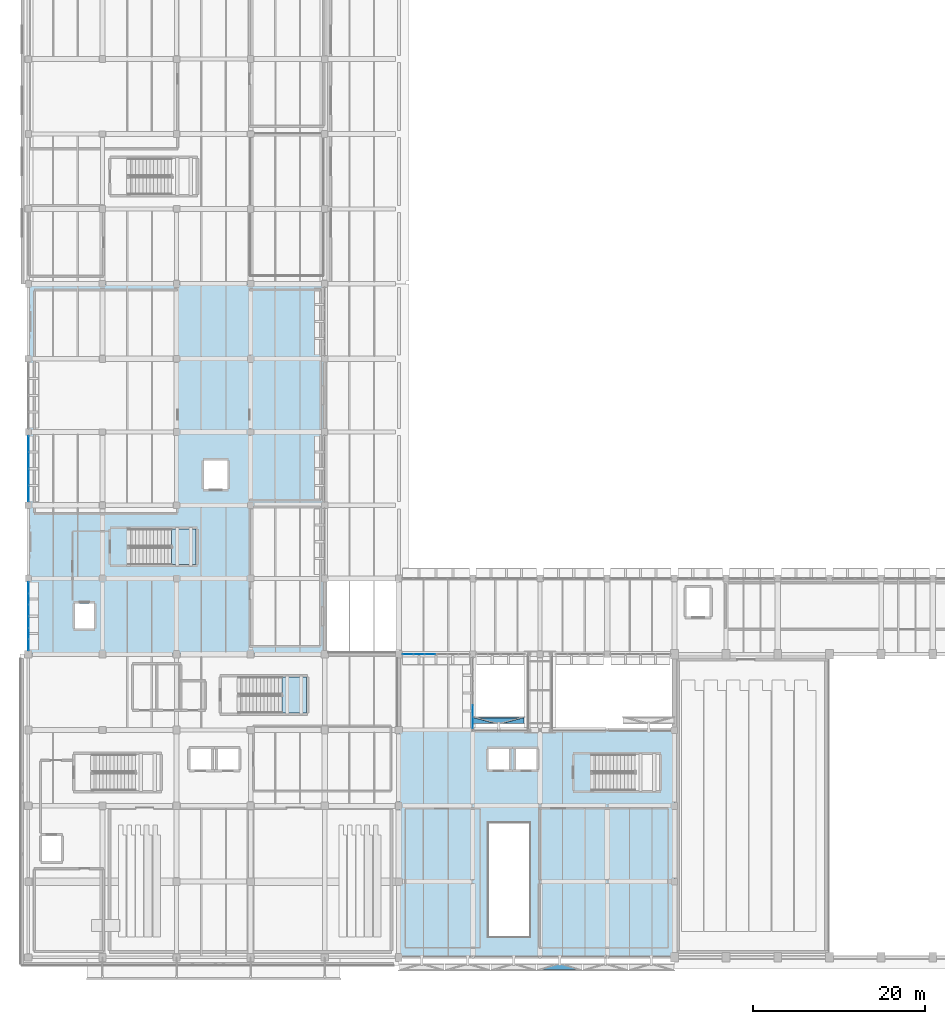
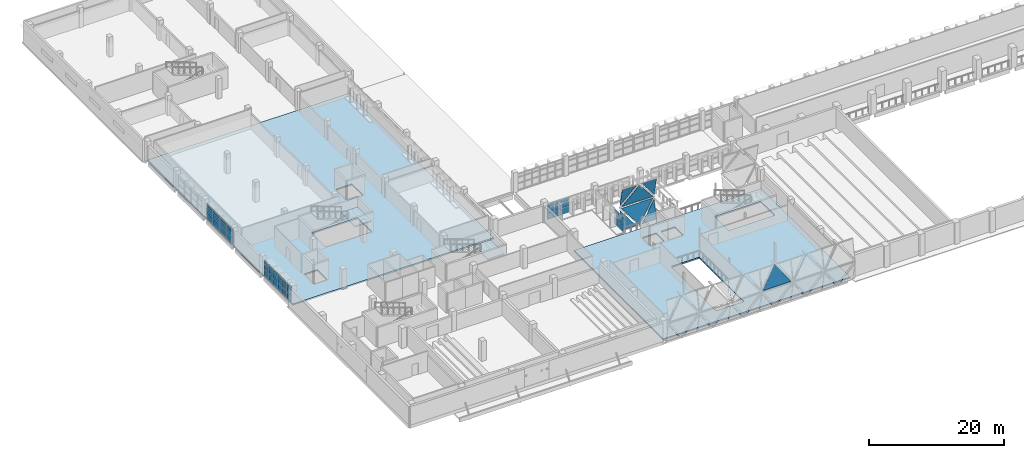
# One storey, part 49 of 80: 52 plates, 4 slabs, 10 elements without a shape of their own.
"""IFC4 building model written with IfcOpenShell, lengths in metres."""

from ifc_helpers import new_model, si_unit, direction, frame, origin, origin_2d, place, context, subcontext, project, spatial, polyline, rectangle, outline, extrude, material, layer, layer_set, type_object, element, aggregate, save


model = new_model("IFC4")

# Units and contexts
model_context = context("Model", 3, precision=1e-05, world=origin(), true_north=direction((0.0, 1.0)))
body_context = subcontext(model_context, "Body", "Model", "MODEL_VIEW")
ifc_project = project(units=[si_unit("LENGTHUNIT", "METRE"), si_unit("AREAUNIT", "SQUARE_METRE"), si_unit("VOLUMEUNIT", "CUBIC_METRE"), si_unit("PLANEANGLEUNIT", "RADIAN"), si_unit("MASSUNIT", "GRAM", prefix="KILO")], contexts=[model_context])

# Site, building, storey
site_placement = place(None, origin())
site = spatial("IfcSite", under=ifc_project, at=site_placement, CompositionType="ELEMENT")
building_placement = place(site_placement, origin())
building = spatial("IfcBuilding", under=site, at=building_placement, Name="Varnakota Cinema and Media Centre", CompositionType="ELEMENT")
storey_placement = place(building_placement, frame((0.0, 0.0, 4.5)))
storey = spatial("IfcBuildingStorey", under=building, at=storey_placement, Name="L01", CompositionType="ELEMENT", Elevation=4.5)

# Curtain wall, plate
ifc_material_1 = material(Name="Anodised golden-bronze aluminium AW-6063", Category="aluminium")
curtain_wall_type_1 = type_object("IfcCurtainWallType", Name="CW-DMD-533x750", PredefinedType="USERDEFINED", material=ifc_material_1)
curtain_wall_1_placement = place(storey_placement, origin())
curtain_wall_1 = element("IfcCurtainWall", 1, at=curtain_wall_1_placement, inside=storey, type_object=curtain_wall_type_1, Name="L01 folded diamond foyer curtain wall CW-V6DMD-S-T1-D03", ObjectType="DIAMOND FOLDED CURTAIN WALL", PredefinedType="USERDEFINED")
ifc_material_2 = material(Name="Laminated solar-control double glazing", Category="glass")
ifc_layer_1 = layer(ifc_material_2, 0.028076171875)
ifc_layer_set_1 = layer_set([ifc_layer_1], Name="Laminated solar-control double glazing")
plate_type_1 = type_object("IfcPlateType", Name="CWP-DGU-28", PredefinedType="CURTAIN_PANEL", material=ifc_layer_set_1)
plate_1_placement = place(storey_placement, frame((64.05322265625, -1.410888671875, 3.889892578125), z_axis=(0.0, -0.979936434053, 0.199310273733), x_axis=(-1.0, 0.0, 0.0)))
plate_1 = element("IfcPlate", 2, at=plate_1_placement, type_object=plate_type_1, Name="CW-V6DMD-S-T1-D03 upper diamond fitted glass facet", PredefinedType="CURTAIN_PANEL", context=body_context, shape_type="SweptSolid", body=[
    extrude(outline(polyline([(0.0, 0.0), (4.773193359375, 0.0), (2.386474609375, -3.5412652526834), (0.0, 0.0)])), origin(), (0.0, 0.0, -1.0), 0.02392578125),
])
aggregate(curtain_wall_1, [plate_1])

# Curtain wall, plates
ifc_material_3 = material(Name="Anodised golden-bronze aluminium AW-6063", Category="aluminium")
curtain_wall_type_2 = type_object("IfcCurtainWallType", Name="CW-DMD-600x750", PredefinedType="USERDEFINED", material=ifc_material_3)
curtain_wall_2_placement = place(storey_placement, origin())
curtain_wall_2 = element("IfcCurtainWall", 3, at=curtain_wall_2_placement, inside=storey, type_object=curtain_wall_type_2, Name="L01 folded diamond foyer curtain wall CW-V6DMD-N-T1W-D01", ObjectType="DIAMOND FOLDED CURTAIN WALL", PredefinedType="USERDEFINED")
plate_2_placement = place(storey_placement, frame((51.8798828125, 27.81103515625, 3.610107421875), z_axis=(0.0, -0.979922966914, 0.199376475328), x_axis=(0.609165749982, -0.158114104196, -0.777120980995)))
plate_2 = element("IfcPlate", 4, at=plate_2_placement, type_object=plate_type_1, Name="CW-V6DMD-N-T1W-D01 lower diamond fitted glass facet", PredefinedType="CURTAIN_PANEL", context=body_context, shape_type="SweptSolid", body=[
    extrude(outline(polyline([(0.0, 0.0), (4.465475683472187, 4.440892098500626e-16), (3.313974708704907, 4.314300686610968), (0.0, 0.0)])), origin(), (0.0, 0.0, -1.0), 0.02392578125),
])
plate_3_placement = place(storey_placement, frame((51.8798828125, 27.81103515625, 3.889892578125), z_axis=(0.0, 0.979922966914, 0.199376475328), x_axis=(1.0, 0.0, 0.0)))
plate_3 = element("IfcPlate", 5, at=plate_3_placement, type_object=plate_type_1, Name="CW-V6DMD-N-T1W-D01 upper diamond fitted glass facet", PredefinedType="CURTAIN_PANEL", context=body_context, shape_type="SweptSolid", body=[
    extrude(outline(polyline([(0.0, 0.0), (5.440185546875, 0.0), (2.72021484375, -3.5413139204995026), (0.0, 0.0)])), origin(), (0.0, 0.0, -1.0), 0.02392578125),
])

ifc_material_4 = material(Name="Thermally broken anodised aluminium AW-6063", Category="aluminium")
curtain_wall_type_3 = type_object("IfcCurtainWallType", Name="CW-STD-389x284", PredefinedType="USERDEFINED", material=ifc_material_4)
curtain_wall_3_placement = place(storey_placement, origin())
curtain_wall_3 = element("IfcCurtainWall", 6, at=curtain_wall_3_placement, inside=storey, type_object=curtain_wall_type_3, Name="L01 curtain wall CW-L01-LINK-S-W-02-2", ObjectType="UNITISED CURTAIN WALL", PredefinedType="USERDEFINED")
plate_4_placement = place(storey_placement, frame((46.62744140625, 35.199951171875, 0.06494140625), z_axis=(0.0, 0.0, 1.0), x_axis=(-1.0, 0.0, 0.0)))
plate_4 = element("IfcPlate", 7, at=plate_4_placement, type_object=plate_type_1, Name="CW21 panel 1.1", PredefinedType="CURTAIN_PANEL", context=body_context, shape_type="SweptSolid", body=[
    extrude(rectangle(XDim=1.199951171875, YDim=0.028076171875, at=origin_2d()), origin(), (0.0, 0.0, 1.0), 1.09326171875),
])
plate_5_placement = place(storey_placement, frame((46.62744140625, 35.199951171875, 1.22314453125), z_axis=(0.0, 0.0, 1.0), x_axis=(-1.0, 0.0, 0.0)))
plate_5 = element("IfcPlate", 8, at=plate_5_placement, type_object=plate_type_1, Name="CW21 panel 1.2", PredefinedType="CURTAIN_PANEL", context=body_context, shape_type="SweptSolid", body=[
    extrude(rectangle(XDim=1.199951171875, YDim=0.028076171875, at=origin_2d()), origin(), (0.0, 0.0, 1.0), 0.95556640625),
])
plate_6_placement = place(storey_placement, frame((46.62744140625, 35.199951171875, 2.24365234375), z_axis=(0.0, 0.0, 1.0), x_axis=(-1.0, 0.0, 0.0)))
plate_6 = element("IfcPlate", 9, at=plate_6_placement, type_object=plate_type_1, Name="CW21 panel 1.3", PredefinedType="CURTAIN_PANEL", context=body_context, shape_type="SweptSolid", body=[
    extrude(rectangle(XDim=1.199951171875, YDim=0.028076171875, at=origin_2d()), origin(), (0.0, 0.0, 1.0), 0.526123046875),
])
plate_7_placement = place(storey_placement, frame((45.34619140625, 35.199951171875, 0.06494140625), z_axis=(0.0, 0.0, 1.0), x_axis=(-1.0, 0.0, 0.0)))
plate_7 = element("IfcPlate", 10, at=plate_7_placement, type_object=plate_type_1, Name="CW21 panel 2.1", PredefinedType="CURTAIN_PANEL", context=body_context, shape_type="SweptSolid", body=[
    extrude(rectangle(XDim=1.232421875, YDim=0.028076171875, at=origin_2d()), origin(), (0.0, 0.0, 1.0), 1.09326171875),
])
plate_8_placement = place(storey_placement, frame((45.34619140625, 35.199951171875, 1.22314453125), z_axis=(0.0, 0.0, 1.0), x_axis=(-1.0, 0.0, 0.0)))
plate_8 = element("IfcPlate", 11, at=plate_8_placement, type_object=plate_type_1, Name="CW21 panel 2.2", PredefinedType="CURTAIN_PANEL", context=body_context, shape_type="SweptSolid", body=[
    extrude(rectangle(XDim=1.232421875, YDim=0.028076171875, at=origin_2d()), origin(), (0.0, 0.0, 1.0), 0.95556640625),
])
plate_9_placement = place(storey_placement, frame((45.34619140625, 35.199951171875, 2.24365234375), z_axis=(0.0, 0.0, 1.0), x_axis=(-1.0, 0.0, 0.0)))
plate_9 = element("IfcPlate", 12, at=plate_9_placement, type_object=plate_type_1, Name="CW21 panel 2.3", PredefinedType="CURTAIN_PANEL", context=body_context, shape_type="SweptSolid", body=[
    extrude(rectangle(XDim=1.232421875, YDim=0.028076171875, at=origin_2d()), origin(), (0.0, 0.0, 1.0), 0.526123046875),
])
plate_10_placement = place(storey_placement, frame((44.06494140625, 35.199951171875, 0.06494140625), z_axis=(0.0, 0.0, 1.0), x_axis=(-1.0, 0.0, 0.0)))
plate_10 = element("IfcPlate", 13, at=plate_10_placement, type_object=plate_type_1, Name="CW21 panel 3.1", PredefinedType="CURTAIN_PANEL", context=body_context, shape_type="SweptSolid", body=[
    extrude(rectangle(XDim=1.199951171875, YDim=0.028076171875, at=origin_2d()), origin(), (0.0, 0.0, 1.0), 1.09326171875),
])
plate_11_placement = place(storey_placement, frame((44.06494140625, 35.199951171875, 1.22314453125), z_axis=(0.0, 0.0, 1.0), x_axis=(-1.0, 0.0, 0.0)))
plate_11 = element("IfcPlate", 14, at=plate_11_placement, type_object=plate_type_1, Name="CW21 panel 3.2", PredefinedType="CURTAIN_PANEL", context=body_context, shape_type="SweptSolid", body=[
    extrude(rectangle(XDim=1.199951171875, YDim=0.028076171875, at=origin_2d()), origin(), (0.0, 0.0, 1.0), 0.95556640625),
])
plate_12_placement = place(storey_placement, frame((44.06494140625, 35.199951171875, 2.24365234375), z_axis=(0.0, 0.0, 1.0), x_axis=(-1.0, 0.0, 0.0)))
plate_12 = element("IfcPlate", 15, at=plate_12_placement, type_object=plate_type_1, Name="CW21 panel 3.3", PredefinedType="CURTAIN_PANEL", context=body_context, shape_type="SweptSolid", body=[
    extrude(rectangle(XDim=1.199951171875, YDim=0.028076171875, at=origin_2d()), origin(), (0.0, 0.0, 1.0), 0.526123046875),
])
aggregate(curtain_wall_3, [plate_4, plate_5, plate_6, plate_7, plate_8, plate_9, plate_10, plate_11, plate_12])

ifc_material_5 = material(Name="Thermally broken anodised aluminium AW-6063", Category="aluminium")
curtain_wall_type_4 = type_object("IfcCurtainWallType", Name="CW-STD-411x284", PredefinedType="USERDEFINED", material=ifc_material_5)
curtain_wall_4_placement = place(storey_placement, origin())
curtain_wall_4 = element("IfcCurtainWall", 16, at=curtain_wall_4_placement, inside=storey, type_object=curtain_wall_type_4, Name="L01 curtain wall CW-L01-WLINK-E-01-1", ObjectType="UNITISED CURTAIN WALL", PredefinedType="USERDEFINED")
plate_13_placement = place(storey_placement, frame((51.60009765625, 27.263427734375, 0.06494140625), z_axis=(0.0, 0.0, 1.0), x_axis=(0.0, 1.0, 0.0)))
plate_13 = element("IfcPlate", 17, at=plate_13_placement, type_object=plate_type_1, Name="CW24 panel 1.1", PredefinedType="CURTAIN_PANEL", context=body_context, shape_type="SweptSolid", body=[
    extrude(rectangle(XDim=1.27294921875, YDim=0.028076171875, at=origin_2d()), origin(), (0.0, 0.0, 1.0), 1.09326171875),
])
plate_14_placement = place(storey_placement, frame((51.60009765625, 27.263427734375, 1.22314453125), z_axis=(0.0, 0.0, 1.0), x_axis=(0.0, 1.0, 0.0)))
plate_14 = element("IfcPlate", 18, at=plate_14_placement, type_object=plate_type_1, Name="CW24 panel 1.2", PredefinedType="CURTAIN_PANEL", context=body_context, shape_type="SweptSolid", body=[
    extrude(rectangle(XDim=1.27294921875, YDim=0.028076171875, at=origin_2d()), origin(), (0.0, 0.0, 1.0), 0.95556640625),
])
plate_15_placement = place(storey_placement, frame((51.60009765625, 27.263427734375, 2.24365234375), z_axis=(0.0, 0.0, 1.0), x_axis=(0.0, 1.0, 0.0)))
plate_15 = element("IfcPlate", 19, at=plate_15_placement, type_object=plate_type_1, Name="CW24 panel 1.3", PredefinedType="CURTAIN_PANEL", context=body_context, shape_type="SweptSolid", body=[
    extrude(rectangle(XDim=1.27294921875, YDim=0.028076171875, at=origin_2d()), origin(), (0.0, 0.0, 1.0), 0.526123046875),
])
plate_16_placement = place(storey_placement, frame((51.60009765625, 28.61767578125, 0.06494140625), z_axis=(0.0, 0.0, 1.0), x_axis=(0.0, 1.0, 0.0)))
plate_16 = element("IfcPlate", 20, at=plate_16_placement, type_object=plate_type_1, Name="CW24 panel 2.1", PredefinedType="CURTAIN_PANEL", context=body_context, shape_type="SweptSolid", body=[
    extrude(rectangle(XDim=1.305419921875, YDim=0.028076171875, at=origin_2d()), origin(), (0.0, 0.0, 1.0), 1.09326171875),
])
plate_17_placement = place(storey_placement, frame((51.60009765625, 28.61767578125, 1.22314453125), z_axis=(0.0, 0.0, 1.0), x_axis=(0.0, 1.0, 0.0)))
plate_17 = element("IfcPlate", 21, at=plate_17_placement, type_object=plate_type_1, Name="CW24 panel 2.2", PredefinedType="CURTAIN_PANEL", context=body_context, shape_type="SweptSolid", body=[
    extrude(rectangle(XDim=1.305419921875, YDim=0.028076171875, at=origin_2d()), origin(), (0.0, 0.0, 1.0), 0.95556640625),
])
plate_18_placement = place(storey_placement, frame((51.60009765625, 28.61767578125, 2.24365234375), z_axis=(0.0, 0.0, 1.0), x_axis=(0.0, 1.0, 0.0)))
plate_18 = element("IfcPlate", 22, at=plate_18_placement, type_object=plate_type_1, Name="CW24 panel 2.3", PredefinedType="CURTAIN_PANEL", context=body_context, shape_type="SweptSolid", body=[
    extrude(rectangle(XDim=1.305419921875, YDim=0.028076171875, at=origin_2d()), origin(), (0.0, 0.0, 1.0), 0.526123046875),
])
aggregate(curtain_wall_4, [plate_13, plate_14, plate_15, plate_16, plate_17, plate_18])

ifc_material_6 = material(Name="Thermally broken anodised aluminium AW-6063", Category="aluminium")
curtain_wall_type_5 = type_object("IfcCurtainWallType", Name="CW-STD-384x288", PredefinedType="USERDEFINED", material=ifc_material_6)
curtain_wall_5_placement = place(storey_placement, origin())
curtain_wall_5 = element("IfcCurtainWall", 23, at=curtain_wall_5_placement, inside=storey, type_object=curtain_wall_type_5, Name="L01 curtain wall CW-L01-V5-W-03-1", ObjectType="UNITISED CURTAIN WALL", PredefinedType="USERDEFINED")
plate_19_placement = place(storey_placement, frame((0.0, 59.623046875, 0.06494140625), z_axis=(0.0, 0.0, 1.0), x_axis=(0.0, -1.0, 0.0)))
plate_19 = element("IfcPlate", 24, at=plate_19_placement, type_object=plate_type_1, Name="CW26 panel 1.1", PredefinedType="CURTAIN_PANEL", context=body_context, shape_type="SweptSolid", body=[
    extrude(rectangle(XDim=1.82373046875, YDim=0.028076171875, at=origin_2d()), origin(), (0.0, 0.0, 1.0), 1.1142578125),
])
plate_20_placement = place(storey_placement, frame((0.0, 59.623046875, 1.244140625), z_axis=(0.0, 0.0, 1.0), x_axis=(0.0, -1.0, 0.0)))
plate_20 = element("IfcPlate", 25, at=plate_20_placement, type_object=plate_type_1, Name="CW26 panel 1.2", PredefinedType="CURTAIN_PANEL", context=body_context, shape_type="SweptSolid", body=[
    extrude(rectangle(XDim=1.82373046875, YDim=0.028076171875, at=origin_2d()), origin(), (0.0, 0.0, 1.0), 0.9736328125),
])
plate_21_placement = place(storey_placement, frame((0.0, 59.623046875, 2.282958984375), z_axis=(0.0, 0.0, 1.0), x_axis=(0.0, -1.0, 0.0)))
plate_21 = element("IfcPlate", 26, at=plate_21_placement, type_object=plate_type_1, Name="CW26 panel 1.3", PredefinedType="CURTAIN_PANEL", context=body_context, shape_type="SweptSolid", body=[
    extrude(rectangle(XDim=1.82373046875, YDim=0.028076171875, at=origin_2d()), origin(), (0.0, 0.0, 1.0), 0.537109375),
])
plate_22_placement = place(storey_placement, frame((0.0, 57.734375, 0.06494140625), z_axis=(0.0, 0.0, 1.0), x_axis=(0.0, -1.0, 0.0)))
plate_22 = element("IfcPlate", 27, at=plate_22_placement, type_object=plate_type_1, Name="CW26 panel 2.1", PredefinedType="CURTAIN_PANEL", context=body_context, shape_type="SweptSolid", body=[
    extrude(rectangle(XDim=1.82373046875, YDim=0.028076171875, at=origin_2d()), origin(), (0.0, 0.0, 1.0), 1.1142578125),
])
plate_23_placement = place(storey_placement, frame((0.0, 57.734375, 1.244140625), z_axis=(0.0, 0.0, 1.0), x_axis=(0.0, -1.0, 0.0)))
plate_23 = element("IfcPlate", 28, at=plate_23_placement, type_object=plate_type_1, Name="CW26 panel 2.2", PredefinedType="CURTAIN_PANEL", context=body_context, shape_type="SweptSolid", body=[
    extrude(rectangle(XDim=1.82373046875, YDim=0.028076171875, at=origin_2d()), origin(), (0.0, 0.0, 1.0), 0.9736328125),
])
plate_24_placement = place(storey_placement, frame((0.0, 57.734375, 2.282958984375), z_axis=(0.0, 0.0, 1.0), x_axis=(0.0, -1.0, 0.0)))
plate_24 = element("IfcPlate", 29, at=plate_24_placement, type_object=plate_type_1, Name="CW26 panel 2.3", PredefinedType="CURTAIN_PANEL", context=body_context, shape_type="SweptSolid", body=[
    extrude(rectangle(XDim=1.82373046875, YDim=0.028076171875, at=origin_2d()), origin(), (0.0, 0.0, 1.0), 0.537109375),
])
aggregate(curtain_wall_5, [plate_19, plate_20, plate_21, plate_22, plate_23, plate_24])

curtain_wall_6_placement = place(storey_placement, origin())
curtain_wall_6 = element("IfcCurtainWall", 30, at=curtain_wall_6_placement, inside=storey, type_object=curtain_wall_type_5, Name="L01 curtain wall CW-L01-V5-W-03-2", ObjectType="UNITISED CURTAIN WALL", PredefinedType="USERDEFINED")
plate_25_placement = place(storey_placement, frame((0.0, 55.74072265625, 0.06494140625), z_axis=(0.0, 0.0, 1.0), x_axis=(0.0, -1.0, 0.0)))
plate_25 = element("IfcPlate", 31, at=plate_25_placement, type_object=plate_type_1, Name="CW26 panel 1.1", PredefinedType="CURTAIN_PANEL", context=body_context, shape_type="SweptSolid", body=[
    extrude(rectangle(XDim=1.82373046875, YDim=0.028076171875, at=origin_2d()), origin(), (0.0, 0.0, 1.0), 1.1142578125),
])
plate_26_placement = place(storey_placement, frame((0.0, 55.74072265625, 1.244140625), z_axis=(0.0, 0.0, 1.0), x_axis=(0.0, -1.0, 0.0)))
plate_26 = element("IfcPlate", 32, at=plate_26_placement, type_object=plate_type_1, Name="CW26 panel 1.2", PredefinedType="CURTAIN_PANEL", context=body_context, shape_type="SweptSolid", body=[
    extrude(rectangle(XDim=1.82373046875, YDim=0.028076171875, at=origin_2d()), origin(), (0.0, 0.0, 1.0), 0.9736328125),
])
plate_27_placement = place(storey_placement, frame((0.0, 55.74072265625, 2.282958984375), z_axis=(0.0, 0.0, 1.0), x_axis=(0.0, -1.0, 0.0)))
plate_27 = element("IfcPlate", 33, at=plate_27_placement, type_object=plate_type_1, Name="CW26 panel 1.3", PredefinedType="CURTAIN_PANEL", context=body_context, shape_type="SweptSolid", body=[
    extrude(rectangle(XDim=1.82373046875, YDim=0.028076171875, at=origin_2d()), origin(), (0.0, 0.0, 1.0), 0.537109375),
])
plate_28_placement = place(storey_placement, frame((0.0, 53.851806640625, 0.06494140625), z_axis=(0.0, 0.0, 1.0), x_axis=(0.0, -1.0, 0.0)))
plate_28 = element("IfcPlate", 34, at=plate_28_placement, type_object=plate_type_1, Name="CW26 panel 2.1", PredefinedType="CURTAIN_PANEL", context=body_context, shape_type="SweptSolid", body=[
    extrude(rectangle(XDim=1.82373046875, YDim=0.028076171875, at=origin_2d()), origin(), (0.0, 0.0, 1.0), 1.1142578125),
])
plate_29_placement = place(storey_placement, frame((0.0, 53.851806640625, 1.244140625), z_axis=(0.0, 0.0, 1.0), x_axis=(0.0, -1.0, 0.0)))
plate_29 = element("IfcPlate", 35, at=plate_29_placement, type_object=plate_type_1, Name="CW26 panel 2.2", PredefinedType="CURTAIN_PANEL", context=body_context, shape_type="SweptSolid", body=[
    extrude(rectangle(XDim=1.82373046875, YDim=0.028076171875, at=origin_2d()), origin(), (0.0, 0.0, 1.0), 0.9736328125),
])
plate_30_placement = place(storey_placement, frame((0.0, 53.851806640625, 2.282958984375), z_axis=(0.0, 0.0, 1.0), x_axis=(0.0, -1.0, 0.0)))
plate_30 = element("IfcPlate", 36, at=plate_30_placement, type_object=plate_type_1, Name="CW26 panel 2.3", PredefinedType="CURTAIN_PANEL", context=body_context, shape_type="SweptSolid", body=[
    extrude(rectangle(XDim=1.82373046875, YDim=0.028076171875, at=origin_2d()), origin(), (0.0, 0.0, 1.0), 0.537109375),
])
aggregate(curtain_wall_6, [plate_25, plate_26, plate_27, plate_28, plate_29, plate_30])

ifc_material_7 = material(Name="Thermally broken anodised aluminium AW-6063", Category="aluminium")
curtain_wall_type_6 = type_object("IfcCurtainWallType", Name="CW-STD-397x288", PredefinedType="USERDEFINED", material=ifc_material_7)
curtain_wall_7_placement = place(storey_placement, origin())
curtain_wall_7 = element("IfcCurtainWall", 37, at=curtain_wall_7_placement, inside=storey, type_object=curtain_wall_type_6, Name="L01 curtain wall CW-L01-V5-W-05-1", ObjectType="UNITISED CURTAIN WALL", PredefinedType="USERDEFINED")
plate_31_placement = place(storey_placement, frame((0.0, 42.922607421875, 0.06494140625), z_axis=(0.0, 0.0, 1.0), x_axis=(0.0, -1.0, 0.0)))
plate_31 = element("IfcPlate", 38, at=plate_31_placement, type_object=plate_type_1, Name="CW28 panel 1.1", PredefinedType="CURTAIN_PANEL", context=body_context, shape_type="SweptSolid", body=[
    extrude(rectangle(XDim=1.22509765625, YDim=0.028076171875, at=origin_2d()), origin(), (0.0, 0.0, 1.0), 1.1142578125),
])
plate_32_placement = place(storey_placement, frame((0.0, 42.922607421875, 1.244140625), z_axis=(0.0, 0.0, 1.0), x_axis=(0.0, -1.0, 0.0)))
plate_32 = element("IfcPlate", 39, at=plate_32_placement, type_object=plate_type_1, Name="CW28 panel 1.2", PredefinedType="CURTAIN_PANEL", context=body_context, shape_type="SweptSolid", body=[
    extrude(rectangle(XDim=1.22509765625, YDim=0.028076171875, at=origin_2d()), origin(), (0.0, 0.0, 1.0), 0.9736328125),
])
plate_33_placement = place(storey_placement, frame((0.0, 42.922607421875, 2.282958984375), z_axis=(0.0, 0.0, 1.0), x_axis=(0.0, -1.0, 0.0)))
plate_33 = element("IfcPlate", 40, at=plate_33_placement, type_object=plate_type_1, Name="CW28 panel 1.3", PredefinedType="CURTAIN_PANEL", context=body_context, shape_type="SweptSolid", body=[
    extrude(rectangle(XDim=1.22509765625, YDim=0.028076171875, at=origin_2d()), origin(), (0.0, 0.0, 1.0), 0.537109375),
])
plate_34_placement = place(storey_placement, frame((0.0, 41.6162109375, 0.06494140625), z_axis=(0.0, 0.0, 1.0), x_axis=(0.0, -1.0, 0.0)))
plate_34 = element("IfcPlate", 41, at=plate_34_placement, type_object=plate_type_1, Name="CW28 panel 2.1", PredefinedType="CURTAIN_PANEL", context=body_context, shape_type="SweptSolid", body=[
    extrude(rectangle(XDim=1.257568359375, YDim=0.028076171875, at=origin_2d()), origin(), (0.0, 0.0, 1.0), 1.1142578125),
])
plate_35_placement = place(storey_placement, frame((0.0, 41.6162109375, 1.244140625), z_axis=(0.0, 0.0, 1.0), x_axis=(0.0, -1.0, 0.0)))
plate_35 = element("IfcPlate", 42, at=plate_35_placement, type_object=plate_type_1, Name="CW28 panel 2.2", PredefinedType="CURTAIN_PANEL", context=body_context, shape_type="SweptSolid", body=[
    extrude(rectangle(XDim=1.257568359375, YDim=0.028076171875, at=origin_2d()), origin(), (0.0, 0.0, 1.0), 0.9736328125),
])
plate_36_placement = place(storey_placement, frame((0.0, 41.6162109375, 2.282958984375), z_axis=(0.0, 0.0, 1.0), x_axis=(0.0, -1.0, 0.0)))
plate_36 = element("IfcPlate", 43, at=plate_36_placement, type_object=plate_type_1, Name="CW28 panel 2.3", PredefinedType="CURTAIN_PANEL", context=body_context, shape_type="SweptSolid", body=[
    extrude(rectangle(XDim=1.257568359375, YDim=0.028076171875, at=origin_2d()), origin(), (0.0, 0.0, 1.0), 0.537109375),
])
plate_37_placement = place(storey_placement, frame((0.0, 40.31005859375, 0.06494140625), z_axis=(0.0, 0.0, 1.0), x_axis=(0.0, -1.0, 0.0)))
plate_37 = element("IfcPlate", 44, at=plate_37_placement, type_object=plate_type_1, Name="CW28 panel 3.1", PredefinedType="CURTAIN_PANEL", context=body_context, shape_type="SweptSolid", body=[
    extrude(rectangle(XDim=1.22509765625, YDim=0.028076171875, at=origin_2d()), origin(), (0.0, 0.0, 1.0), 1.1142578125),
])
plate_38_placement = place(storey_placement, frame((0.0, 40.31005859375, 1.244140625), z_axis=(0.0, 0.0, 1.0), x_axis=(0.0, -1.0, 0.0)))
plate_38 = element("IfcPlate", 45, at=plate_38_placement, type_object=plate_type_1, Name="CW28 panel 3.2", PredefinedType="CURTAIN_PANEL", context=body_context, shape_type="SweptSolid", body=[
    extrude(rectangle(XDim=1.22509765625, YDim=0.028076171875, at=origin_2d()), origin(), (0.0, 0.0, 1.0), 0.9736328125),
])
plate_39_placement = place(storey_placement, frame((0.0, 40.31005859375, 2.282958984375), z_axis=(0.0, 0.0, 1.0), x_axis=(0.0, -1.0, 0.0)))
plate_39 = element("IfcPlate", 46, at=plate_39_placement, type_object=plate_type_1, Name="CW28 panel 3.3", PredefinedType="CURTAIN_PANEL", context=body_context, shape_type="SweptSolid", body=[
    extrude(rectangle(XDim=1.22509765625, YDim=0.028076171875, at=origin_2d()), origin(), (0.0, 0.0, 1.0), 0.537109375),
])
aggregate(curtain_wall_7, [plate_31, plate_32, plate_33, plate_34, plate_35, plate_36, plate_37, plate_38, plate_39])

curtain_wall_8_placement = place(storey_placement, origin())
curtain_wall_8 = element("IfcCurtainWall", 47, at=curtain_wall_8_placement, inside=storey, type_object=curtain_wall_type_6, Name="L01 curtain wall CW-L01-V5-W-05-2", ObjectType="UNITISED CURTAIN WALL", PredefinedType="USERDEFINED")
plate_40_placement = place(storey_placement, frame((0.0, 38.9150390625, 0.06494140625), z_axis=(0.0, 0.0, 1.0), x_axis=(0.0, -1.0, 0.0)))
plate_40 = element("IfcPlate", 48, at=plate_40_placement, type_object=plate_type_1, Name="CW28 panel 1.1", PredefinedType="CURTAIN_PANEL", context=body_context, shape_type="SweptSolid", body=[
    extrude(rectangle(XDim=1.22509765625, YDim=0.028076171875, at=origin_2d()), origin(), (0.0, 0.0, 1.0), 1.1142578125),
])
plate_41_placement = place(storey_placement, frame((0.0, 38.9150390625, 1.244140625), z_axis=(0.0, 0.0, 1.0), x_axis=(0.0, -1.0, 0.0)))
plate_41 = element("IfcPlate", 49, at=plate_41_placement, type_object=plate_type_1, Name="CW28 panel 1.2", PredefinedType="CURTAIN_PANEL", context=body_context, shape_type="SweptSolid", body=[
    extrude(rectangle(XDim=1.22509765625, YDim=0.028076171875, at=origin_2d()), origin(), (0.0, 0.0, 1.0), 0.9736328125),
])
plate_42_placement = place(storey_placement, frame((0.0, 38.9150390625, 2.282958984375), z_axis=(0.0, 0.0, 1.0), x_axis=(0.0, -1.0, 0.0)))
plate_42 = element("IfcPlate", 50, at=plate_42_placement, type_object=plate_type_1, Name="CW28 panel 1.3", PredefinedType="CURTAIN_PANEL", context=body_context, shape_type="SweptSolid", body=[
    extrude(rectangle(XDim=1.22509765625, YDim=0.028076171875, at=origin_2d()), origin(), (0.0, 0.0, 1.0), 0.537109375),
])
plate_43_placement = place(storey_placement, frame((0.0, 37.608642578125, 0.06494140625), z_axis=(0.0, 0.0, 1.0), x_axis=(0.0, -1.0, 0.0)))
plate_43 = element("IfcPlate", 51, at=plate_43_placement, type_object=plate_type_1, Name="CW28 panel 2.1", PredefinedType="CURTAIN_PANEL", context=body_context, shape_type="SweptSolid", body=[
    extrude(rectangle(XDim=1.257568359375, YDim=0.028076171875, at=origin_2d()), origin(), (0.0, 0.0, 1.0), 1.1142578125),
])
plate_44_placement = place(storey_placement, frame((0.0, 37.608642578125, 1.244140625), z_axis=(0.0, 0.0, 1.0), x_axis=(0.0, -1.0, 0.0)))
plate_44 = element("IfcPlate", 52, at=plate_44_placement, type_object=plate_type_1, Name="CW28 panel 2.2", PredefinedType="CURTAIN_PANEL", context=body_context, shape_type="SweptSolid", body=[
    extrude(rectangle(XDim=1.257568359375, YDim=0.028076171875, at=origin_2d()), origin(), (0.0, 0.0, 1.0), 0.9736328125),
])
plate_45_placement = place(storey_placement, frame((0.0, 37.608642578125, 2.282958984375), z_axis=(0.0, 0.0, 1.0), x_axis=(0.0, -1.0, 0.0)))
plate_45 = element("IfcPlate", 53, at=plate_45_placement, type_object=plate_type_1, Name="CW28 panel 2.3", PredefinedType="CURTAIN_PANEL", context=body_context, shape_type="SweptSolid", body=[
    extrude(rectangle(XDim=1.257568359375, YDim=0.028076171875, at=origin_2d()), origin(), (0.0, 0.0, 1.0), 0.537109375),
])
plate_46_placement = place(storey_placement, frame((0.0, 36.302490234375, 0.06494140625), z_axis=(0.0, 0.0, 1.0), x_axis=(0.0, -1.0, 0.0)))
plate_46 = element("IfcPlate", 54, at=plate_46_placement, type_object=plate_type_1, Name="CW28 panel 3.1", PredefinedType="CURTAIN_PANEL", context=body_context, shape_type="SweptSolid", body=[
    extrude(rectangle(XDim=1.22509765625, YDim=0.028076171875, at=origin_2d()), origin(), (0.0, 0.0, 1.0), 1.1142578125),
])
plate_47_placement = place(storey_placement, frame((0.0, 36.302490234375, 1.244140625), z_axis=(0.0, 0.0, 1.0), x_axis=(0.0, -1.0, 0.0)))
plate_47 = element("IfcPlate", 55, at=plate_47_placement, type_object=plate_type_1, Name="CW28 panel 3.2", PredefinedType="CURTAIN_PANEL", context=body_context, shape_type="SweptSolid", body=[
    extrude(rectangle(XDim=1.22509765625, YDim=0.028076171875, at=origin_2d()), origin(), (0.0, 0.0, 1.0), 0.9736328125),
])
plate_48_placement = place(storey_placement, frame((0.0, 36.302490234375, 2.282958984375), z_axis=(0.0, 0.0, 1.0), x_axis=(0.0, -1.0, 0.0)))
plate_48 = element("IfcPlate", 56, at=plate_48_placement, type_object=plate_type_1, Name="CW28 panel 3.3", PredefinedType="CURTAIN_PANEL", context=body_context, shape_type="SweptSolid", body=[
    extrude(rectangle(XDim=1.22509765625, YDim=0.028076171875, at=origin_2d()), origin(), (0.0, 0.0, 1.0), 0.537109375),
])
aggregate(curtain_wall_8, [plate_40, plate_41, plate_42, plate_43, plate_44, plate_45, plate_46, plate_47, plate_48])

# Plate
ifc_material_8 = material(Name="Anodised golden-bronze aluminium AW-6063", Category="aluminium")
ifc_layer_2 = layer(ifc_material_8, 0.035888671875)
ifc_layer_set_2 = layer_set([ifc_layer_2], Name="Anodised golden-bronze aluminium AW-6063")
plate_type_2 = type_object("IfcPlateType", Name="CWP-GOLD-36", PredefinedType="CURTAIN_PANEL", material=ifc_layer_set_2)
plate_49_placement = place(storey_placement, frame((51.659912109375, 27.177978515625, 0.10009765625), z_axis=(0.0, -0.979925277754, 0.199365117357), x_axis=(1.0, 0.0, 0.0)))
plate_49 = element("IfcPlate", 57, at=plate_49_placement, type_object=plate_type_2, Name="CW-V6DMD-N-T1W-D01 golden metal folded diamond spandrel SP-BL", PredefinedType="CURTAIN_PANEL", context=body_context, shape_type="SweptSolid", body=[
    extrude(outline(polyline([(0.0, 0.0), (2.460205078125, 0.0), (0.0, 3.3370090612877776), (0.0, 0.0)])), origin(), (0.0, 0.0, -1.0), 0.028076171875),
])

plate_50_placement = place(storey_placement, frame((55.080078125, 27.177978515625, 0.10009765625), z_axis=(0.0, -0.979925277754, 0.199365117357), x_axis=(1.0, 0.0, 0.0)))
plate_50 = element("IfcPlate", 58, at=plate_50_placement, type_object=plate_type_2, Name="CW-V6DMD-N-T1W-D01 golden metal folded diamond spandrel SP-BR", PredefinedType="CURTAIN_PANEL", context=body_context, shape_type="SweptSolid", body=[
    extrude(outline(polyline([(0.0, 0.0), (2.4599609375, 0.0), (2.4599609375, 3.3370090612877767), (0.0, 0.0)])), origin(), (0.0, 0.0, -1.0), 0.028076171875),
])

plate_51_placement = place(storey_placement, frame((51.659912109375, 27.84326171875, 4.1298828125), z_axis=(0.0, 0.979925277754, 0.199365117357), x_axis=(0.593411044317, -0.160468899054, 0.788741443642)))
plate_51 = element("IfcPlate", 59, at=plate_51_placement, type_object=plate_type_2, Name="CW-V6DMD-N-T1W-D01 golden metal folded diamond spandrel SP-TL", PredefinedType="CURTAIN_PANEL", context=body_context, shape_type="SweptSolid", body=[
    extrude(outline(polyline([(0.0, 0.0), (4.145870053625508, 4.440892098500626e-16), (2.6859571889810616, -1.9802180319544829), (0.0, 0.0)])), origin(), (0.0, 0.0, -1.0), 0.028076171875),
])

plate_52_placement = place(storey_placement, frame((57.5400390625, 27.84326171875, 4.1298828125), z_axis=(0.0, 0.979925277754, 0.199365117357), x_axis=(0.0, -0.199365117357, 0.979925277754)))
plate_52 = element("IfcPlate", 60, at=plate_52_placement, type_object=plate_type_2, Name="CW-V6DMD-N-T1W-D01 golden metal folded diamond spandrel SP-TR", PredefinedType="CURTAIN_PANEL", context=body_context, shape_type="SweptSolid", body=[
    extrude(outline(polyline([(0.0, 0.0), (3.337009061287777, 0.0), (3.337009061287777, -2.4599609375), (0.0, 0.0)])), origin(), (0.0, 0.0, -1.0), 0.028076171875),
])

aggregate(curtain_wall_2, [plate_2, plate_3, plate_49, plate_50, plate_51, plate_52])

# Slabs
ifc_material_9 = material(Name="Concrete M35", Category="concrete")
ifc_layer_3 = layer(ifc_material_9, 0.25)
ifc_layer_set_3 = layer_set([ifc_layer_3], Name="Concrete M35")
slab_type_1 = type_object("IfcSlabType", Name="SLB-FLR-250", PredefinedType="FLOOR", material=ifc_layer_set_3)
slab_1_placement = place(storey_placement, frame((0.0, 0.0, -0.25)))
element("IfcSlab", 61, at=slab_1_placement, inside=storey, type_object=slab_type_1, Name="L01 V6 floor slab", PredefinedType="FLOOR", context=body_context, shape_type="SweptSolid", body=[
    extrude(outline(polyline([(43.0, 0.0), (75.0, 0.0), (75.0, 26.39990234375), (43.0, 26.39990234375), (43.0, 0.0)]), holes=[polyline([(53.39990234375, 2.39990234375), (58.199951171875, 2.39990234375), (58.199951171875, 15.60009765625), (53.39990234375, 15.60009765625), (53.39990234375, 2.39990234375)]), polyline([(65.39990234375, 19.39990234375), (73.280029296875, 19.39990234375), (73.280029296875, 23.550048828125), (65.39990234375, 23.550048828125), (65.39990234375, 19.39990234375)]), polyline([(53.39990234375, 21.800048828125), (55.800048828125, 21.800048828125), (55.800048828125, 24.199951171875), (53.39990234375, 24.199951171875), (53.39990234375, 21.800048828125)]), polyline([(56.60009765625, 21.800048828125), (59.0, 21.800048828125), (59.0, 24.199951171875), (56.60009765625, 24.199951171875), (56.60009765625, 21.800048828125)])]), origin(), (0.0, 0.0, 1.0), 0.25),
])
slab_2_placement = place(storey_placement, frame((0.0, 0.0, -0.25)))
element("IfcSlab", 62, at=slab_2_placement, inside=storey, type_object=slab_type_1, Name="L01 V5 floor slab", PredefinedType="FLOOR", context=body_context, shape_type="SweptSolid", body=[
    extrude(outline(polyline([(0.0, 35.199951171875), (34.39990234375, 35.199951171875), (34.39990234375, 78.199951171875), (0.0, 78.199951171875), (0.0, 35.199951171875)]), holes=[polyline([(11.60009765625, 45.60009765625), (19.47998046875, 45.60009765625), (19.47998046875, 49.75), (11.60009765625, 49.75), (11.60009765625, 45.60009765625)]), polyline([(5.39990234375, 38.199951171875), (7.60009765625, 38.199951171875), (7.60009765625, 41.10009765625), (5.39990234375, 41.10009765625), (5.39990234375, 38.199951171875)]), polyline([(20.39990234375, 54.39990234375), (23.10009765625, 54.39990234375), (23.10009765625, 57.699951171875), (20.39990234375, 57.699951171875), (20.39990234375, 54.39990234375)])]), origin(), (0.0, 0.0, 1.0), 0.25),
])

# Stair, slab
ifc_material_10 = material(Name="Concrete M35", Category="concrete")
stair_type_1 = type_object("IfcStairType", Name="STR-CORE-ST-02-2000", PredefinedType="HALF_TURN_STAIR", material=ifc_material_10)
stair_1_placement = place(storey_placement, origin())
stair_1 = element("IfcStair", 63, at=stair_1_placement, inside=storey, type_object=stair_type_1, Name="L01 Cinema North Escape Stair 2", PredefinedType="HALF_TURN_STAIR")
ifc_material_11 = material(Name="Concrete M35", Category="concrete")
ifc_layer_4 = layer(ifc_material_11, 0.199951171875)
ifc_layer_set_4 = layer_set([ifc_layer_4], Name="Concrete M35")
slab_type_2 = type_object("IfcSlabType", Name="SLB-LAND-ST-02", PredefinedType="LANDING", material=ifc_layer_set_4)
slab_3_placement = place(storey_placement, frame((0.0, 0.0, 1.75)))
slab_3 = element("IfcSlab", 64, at=slab_3_placement, type_object=slab_type_2, Name="ST-02 landing 1", PredefinedType="LANDING", context=body_context, shape_type="SweptSolid", body=[
    extrude(outline(polyline([(29.43994140625, 28.39990234375), (32.280029296875, 28.39990234375), (32.280029296875, 32.550048828125), (29.43994140625, 32.550048828125), (29.43994140625, 28.39990234375)])), origin(), (0.0, 0.0, 1.0), 0.199951171875),
])
aggregate(stair_1, [slab_3])

ifc_material_12 = material(Name="Concrete M35", Category="concrete")
stair_type_2 = type_object("IfcStairType", Name="STR-CORE-ST-03-2000", PredefinedType="HALF_TURN_STAIR", material=ifc_material_12)
stair_2_placement = place(storey_placement, origin())
stair_2 = element("IfcStair", 65, at=stair_2_placement, inside=storey, type_object=stair_type_2, Name="L01 Studio Firefighting Stair 3", PredefinedType="HALF_TURN_STAIR")
ifc_material_13 = material(Name="Concrete M35", Category="concrete")
ifc_layer_5 = layer(ifc_material_13, 0.199951171875)
ifc_layer_set_5 = layer_set([ifc_layer_5], Name="Concrete M35")
slab_type_3 = type_object("IfcSlabType", Name="SLB-LAND-ST-03", PredefinedType="LANDING", material=ifc_layer_set_5)
slab_4_placement = place(storey_placement, frame((0.0, 0.0, 1.75)))
slab_4 = element("IfcSlab", 66, at=slab_4_placement, type_object=slab_type_3, Name="ST-03 landing 1", PredefinedType="LANDING", context=body_context, shape_type="SweptSolid", body=[
    extrude(outline(polyline([(16.639892578125, 45.60009765625), (19.47998046875, 45.60009765625), (19.47998046875, 49.75), (16.639892578125, 49.75), (16.639892578125, 45.60009765625)])), origin(), (0.0, 0.0, 1.0), 0.199951171875),
])
aggregate(stair_2, [slab_4])

save(model, "model.ifc")
